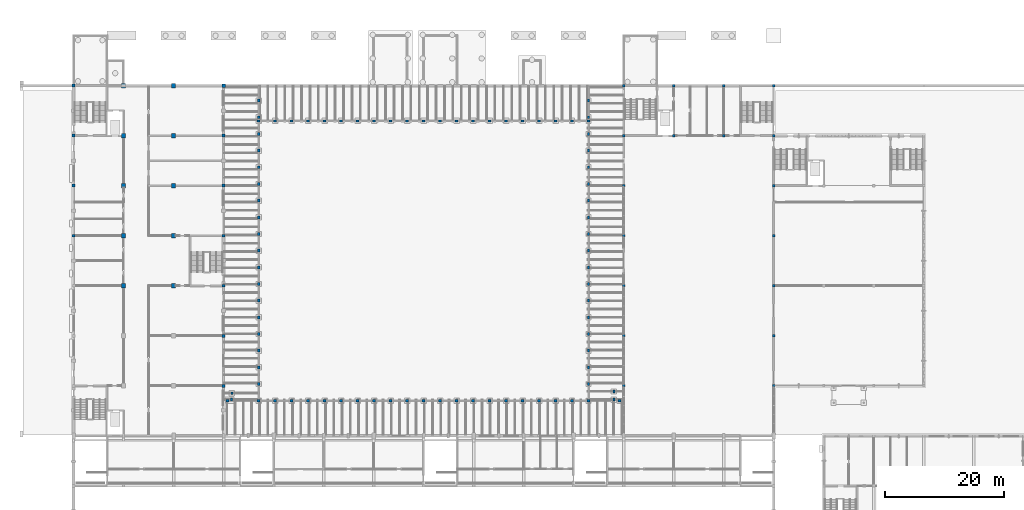
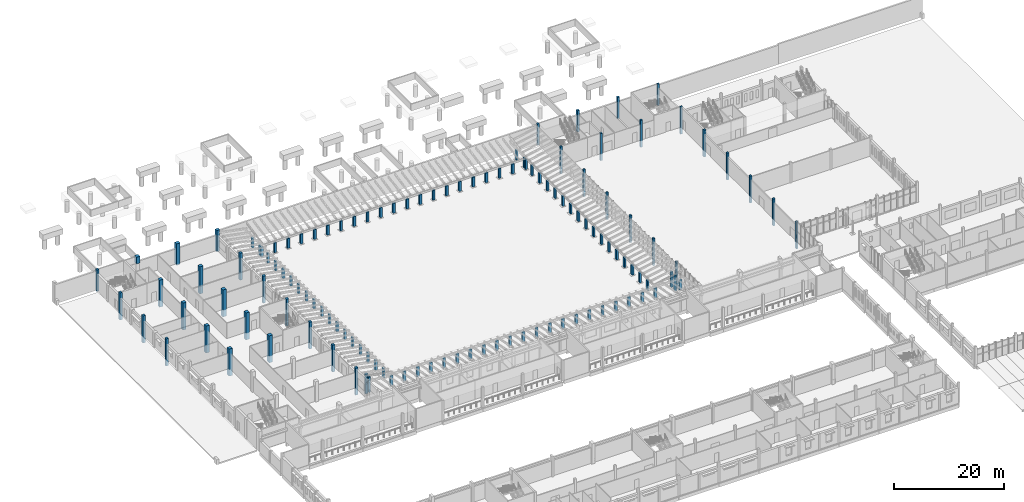
# One storey, part 4 of 60: 123 columns.
"""IFC4 building model written with IfcOpenShell, lengths in metres."""

from ifc_helpers import new_model, si_unit, direction, frame, origin, origin_2d, place, context, subcontext, project, spatial, rectangle, extrude, material, material_profile, profile_set, type_object, element, save


model = new_model("IFC4")

# Units and contexts
model_context = context("Model", 3, precision=1e-05, world=origin(), true_north=direction((0.0, 1.0)))
body_context = subcontext(model_context, "Body", "Model", "MODEL_VIEW")
ifc_project = project(units=[si_unit("LENGTHUNIT", "METRE"), si_unit("AREAUNIT", "SQUARE_METRE"), si_unit("VOLUMEUNIT", "CUBIC_METRE"), si_unit("PLANEANGLEUNIT", "RADIAN"), si_unit("MASSUNIT", "GRAM", prefix="KILO")], contexts=[model_context])

# Site, building, storey
site_placement = place(None, origin())
site = spatial("IfcSite", under=ifc_project, at=site_placement, CompositionType="ELEMENT")
building_placement = place(site_placement, origin())
building = spatial("IfcBuilding", under=site, at=building_placement, Name="Fescue Hill Polytechnic", CompositionType="ELEMENT")
storey_placement = place(building_placement, frame((0.0, 0.0, 4.5)))
storey = spatial("IfcBuildingStorey", under=building, at=storey_placement, Name="L01", CompositionType="ELEMENT", Elevation=4.5)

# Columns
ifc_material_1 = material(Name="Concrete 40 MPa", Category="concrete")
ifc_material_profile_1 = material_profile(ifc_material_1, rectangle(XDim=0.39990234375, YDim=0.39990234375, at=origin_2d()), Name="RC 400x400")
ifc_profile_set_1 = profile_set([ifc_material_profile_1], Name="Concrete 40 MPa")
column_type_1 = type_object("IfcColumnType", Name="Column RC 400x400", PredefinedType="COLUMN", material=ifc_profile_set_1)
for number, where, z_axis, x_axis, name in (
    (1, (117.60009765625, 58.800048828125, -1.5), (0.0, 0.0, 1.0), (1.0, 0.0, 0.0), "COL-L01-V2-001"),
    (2, (117.60009765625, 67.199951171875, -1.5), (0.0, 0.0, 1.0), (1.0, 0.0, 0.0), "COL-L01-V2-002"),
    (3, (117.60009765625, 75.60009765625, -1.5), (0.0, 0.0, 1.0), (1.0, 0.0, 0.0), "COL-L01-V2-003"),
    (4, (117.60009765625, 84.0, -1.5), (0.0, 0.0, 1.0), (1.0, 0.0, 0.0), "COL-L01-V2-004"),
    (5, (117.60009765625, 92.39990234375, -1.5), (0.0, 0.0, 1.0), (1.0, 0.0, 0.0), "COL-L01-V2-005"),
    (6, (117.60009765625, 100.800048828125, -1.5), (0.0, 0.0, 1.0), (1.0, 0.0, 0.0), "COL-L01-V2-006"),
    (7, (92.39990234375, 58.800048828125, -1.5), (0.0, 0.0, 1.0), (1.0, 0.0, 0.0), "COL-L01-V6-001"),
    (8, (92.39990234375, 67.199951171875, -1.5), (0.0, 0.0, 1.0), (1.0, 0.0, 0.0), "COL-L01-V6-002"),
    (9, (92.39990234375, 75.60009765625, -1.5), (0.0, 0.0, 1.0), (1.0, 0.0, 0.0), "COL-L01-V6-003"),
    (10, (92.39990234375, 84.0, -1.5), (0.0, 0.0, 1.0), (1.0, 0.0, 0.0), "COL-L01-V6-004"),
    (11, (92.39990234375, 92.39990234375, -1.5), (0.0, 0.0, 1.0), (1.0, 0.0, 0.0), "COL-L01-V6-005"),
    (12, (92.39990234375, 100.800048828125, -1.5), (0.0, 0.0, 1.0), (1.0, 0.0, 0.0), "COL-L01-V6-006"),
):
    element("IfcColumn", number, at=place(storey_placement, frame(where, z_axis=z_axis, x_axis=x_axis)), inside=storey, type_object=column_type_1, Name=name, PredefinedType="COLUMN", context=body_context, shape_type="SweptSolid", body=[
        extrude(rectangle(XDim=0.39990234375, YDim=0.39990234375, at=origin_2d()), origin(), (0.0, 0.0, 1.0), 6.0),
    ])
column_1_placement = place(storey_placement, frame((92.39990234375, 109.199951171875, -0.25), z_axis=(0.0, 0.0, 1.0), x_axis=(1.0, 0.0, 0.0)))
element("IfcColumn", 13, at=column_1_placement, inside=storey, type_object=column_type_1, Name="COL-L01-V6-007", PredefinedType="COLUMN", context=body_context, shape_type="SweptSolid", body=[
    extrude(rectangle(XDim=0.39990234375, YDim=0.39990234375, at=origin_2d()), origin(), (0.0, 0.0, 1.0), 4.75),
])
for number, where, z_axis, x_axis, name in (
    (14, (100.800048828125, 100.800048828125, -1.5), (0.0, 0.0, 1.0), (1.0, 0.0, 0.0), "COL-L01-V6-008"),
    (15, (109.199951171875, 100.800048828125, -1.5), (0.0, 0.0, 1.0), (1.0, 0.0, 0.0), "COL-L01-V6-010"),
):
    element("IfcColumn", number, at=place(storey_placement, frame(where, z_axis=z_axis, x_axis=x_axis)), inside=storey, type_object=column_type_1, Name=name, PredefinedType="COLUMN", context=body_context, shape_type="SweptSolid", body=[
        extrude(rectangle(XDim=0.39990234375, YDim=0.39990234375, at=origin_2d()), origin(), (0.0, 0.0, 1.0), 6.0),
    ])
column_2_placement = place(storey_placement, frame((117.60009765625, 109.199951171875, -0.25), z_axis=(0.0, 0.0, 1.0), x_axis=(1.0, 0.0, 0.0)))
element("IfcColumn", 16, at=column_2_placement, inside=storey, type_object=column_type_1, Name="COL-L01-V6-012", PredefinedType="COLUMN", context=body_context, shape_type="SweptSolid", body=[
    extrude(rectangle(XDim=0.39990234375, YDim=0.39990234375, at=origin_2d()), origin(), (0.0, 0.0, 1.0), 4.75),
])
ifc_material_profile_2 = material_profile(ifc_material_1, rectangle(XDim=0.449951171875, YDim=0.449951171875, at=origin_2d()), Name="RC 450x450")
ifc_profile_set_2 = profile_set([ifc_material_profile_2], Name="Concrete 40 MPa")
column_type_2 = type_object("IfcColumnType", Name="Column RC 450x450", PredefinedType="COLUMN", material=ifc_profile_set_2)
for number, where, z_axis, x_axis, name in (
    (17, (100.800048828125, 109.199951171875, -0.25), (0.0, 0.0, 1.0), (1.0, 0.0, 0.0), "COL-L01-V6-009"),
    (18, (109.199951171875, 109.199951171875, -0.25), (0.0, 0.0, 1.0), (1.0, 0.0, 0.0), "COL-L01-V6-011"),
):
    element("IfcColumn", number, at=place(storey_placement, frame(where, z_axis=z_axis, x_axis=x_axis)), inside=storey, type_object=column_type_2, Name=name, PredefinedType="COLUMN", context=body_context, shape_type="SweptSolid", body=[
        extrude(rectangle(XDim=0.449951171875, YDim=0.449951171875, at=origin_2d()), origin(), (0.0, 0.0, 1.0), 4.75),
    ])
ifc_material_profile_3 = material_profile(ifc_material_1, rectangle(XDim=0.5, YDim=0.5, at=origin_2d()), Name="RC 500x500")
ifc_profile_set_3 = profile_set([ifc_material_profile_3], Name="Concrete 40 MPa")
column_type_3 = type_object("IfcColumnType", Name="Column RC 500x500", PredefinedType="COLUMN", material=ifc_profile_set_3)
for number, where, z_axis, x_axis, name in (
    (19, (0.0, 84.0, -1.5), (0.0, 0.0, 1.0), (1.0, 0.0, 0.0), "COL-L01-V4-004"),
    (20, (0.0, 92.39990234375, -1.5), (0.0, 0.0, 1.0), (1.0, 0.0, 0.0), "COL-L01-V4-005"),
    (21, (0.0, 100.800048828125, -1.5), (0.0, 0.0, 1.0), (1.0, 0.0, 0.0), "COL-L01-V4-006"),
):
    element("IfcColumn", number, at=place(storey_placement, frame(where, z_axis=z_axis, x_axis=x_axis)), inside=storey, type_object=column_type_3, Name=name, PredefinedType="COLUMN", context=body_context, shape_type="SweptSolid", body=[
        extrude(rectangle(XDim=0.5, YDim=0.5, at=origin_2d()), origin(), (0.0, 0.0, 1.0), 6.0),
    ])
column_3_placement = place(storey_placement, frame((0.0, 109.199951171875, -0.25), z_axis=(0.0, 0.0, 1.0), x_axis=(1.0, 0.0, 0.0)))
element("IfcColumn", 22, at=column_3_placement, inside=storey, type_object=column_type_3, Name="COL-L01-V4-007", PredefinedType="COLUMN", context=body_context, shape_type="SweptSolid", body=[
    extrude(rectangle(XDim=0.5, YDim=0.5, at=origin_2d()), origin(), (0.0, 0.0, 1.0), 4.75),
])
for number, where, z_axis, x_axis, name in (
    (23, (25.199951171875, 58.800048828125, -1.5), (0.0, 0.0, 1.0), (1.0, 0.0, 0.0), "COL-L01-V4-022"),
    (24, (25.199951171875, 67.199951171875, -1.5), (0.0, 0.0, 1.0), (1.0, 0.0, 0.0), "COL-L01-V4-023"),
    (25, (25.199951171875, 75.60009765625, -1.5), (0.0, 0.0, 1.0), (1.0, 0.0, 0.0), "COL-L01-V4-024"),
    (26, (25.199951171875, 84.0, -1.5), (0.0, 0.0, 1.0), (1.0, 0.0, 0.0), "COL-L01-V4-025"),
    (27, (25.199951171875, 92.39990234375, -1.5), (0.0, 0.0, 1.0), (1.0, 0.0, 0.0), "COL-L01-V4-026"),
    (28, (25.199951171875, 100.800048828125, -1.5), (0.0, 0.0, 1.0), (1.0, 0.0, 0.0), "COL-L01-V4-027"),
):
    element("IfcColumn", number, at=place(storey_placement, frame(where, z_axis=z_axis, x_axis=x_axis)), inside=storey, type_object=column_type_3, Name=name, PredefinedType="COLUMN", context=body_context, shape_type="SweptSolid", body=[
        extrude(rectangle(XDim=0.5, YDim=0.5, at=origin_2d()), origin(), (0.0, 0.0, 1.0), 6.0),
    ])
ifc_material_profile_4 = material_profile(ifc_material_1, rectangle(XDim=0.60009765625, YDim=0.60009765625, at=origin_2d()), Name="RC 600x600")
ifc_profile_set_4 = profile_set([ifc_material_profile_4], Name="Concrete 40 MPa")
column_type_4 = type_object("IfcColumnType", Name="Column RC 600x600", PredefinedType="COLUMN", material=ifc_profile_set_4)
column_4_placement = place(storey_placement, frame((25.199951171875, 109.199951171875, -0.25), z_axis=(0.0, 0.0, 1.0), x_axis=(1.0, 0.0, 0.0)))
element("IfcColumn", 29, at=column_4_placement, inside=storey, type_object=column_type_4, Name="COL-L01-V4-028", PredefinedType="COLUMN", context=body_context, shape_type="SweptSolid", body=[
    extrude(rectangle(XDim=0.60009765625, YDim=0.60009765625, at=origin_2d()), origin(), (0.0, 0.0, 1.0), 4.75),
])
ifc_material_profile_5 = material_profile(ifc_material_1, rectangle(XDim=0.699951171875, YDim=0.699951171875, at=origin_2d()), Name="RC 700x700")
ifc_profile_set_5 = profile_set([ifc_material_profile_5], Name="Concrete 40 MPa")
column_type_5 = type_object("IfcColumnType", Name="Column RC 700x700", PredefinedType="COLUMN", material=ifc_profile_set_5)
for number, where, z_axis, x_axis, name in (
    (30, (8.39990234375, 75.60009765625, -1.5), (0.0, 0.0, 1.0), (1.0, 0.0, 0.0), "COL-L01-V4-010"),
    (31, (8.39990234375, 84.0, -1.5), (0.0, 0.0, 1.0), (1.0, 0.0, 0.0), "COL-L01-V4-011"),
    (32, (8.39990234375, 92.39990234375, -1.5), (0.0, 0.0, 1.0), (1.0, 0.0, 0.0), "COL-L01-V4-012"),
    (33, (8.39990234375, 100.800048828125, -1.5), (0.0, 0.0, 1.0), (1.0, 0.0, 0.0), "COL-L01-V4-013"),
):
    element("IfcColumn", number, at=place(storey_placement, frame(where, z_axis=z_axis, x_axis=x_axis)), inside=storey, type_object=column_type_5, Name=name, PredefinedType="COLUMN", context=body_context, shape_type="SweptSolid", body=[
        extrude(rectangle(XDim=0.699951171875, YDim=0.699951171875, at=origin_2d()), origin(), (0.0, 0.0, 1.0), 6.0),
    ])
column_5_placement = place(storey_placement, frame((8.39990234375, 109.199951171875, 3.0), z_axis=(0.0, 0.0, 1.0), x_axis=(1.0, 0.0, 0.0)))
element("IfcColumn", 34, at=column_5_placement, inside=storey, type_object=column_type_5, Name="COL-L01-V4-014", PredefinedType="COLUMN", context=body_context, shape_type="SweptSolid", body=[
    extrude(rectangle(XDim=0.699951171875, YDim=0.699951171875, at=origin_2d()), origin(), (0.0, 0.0, 1.0), 1.5),
])
for number, where, z_axis, x_axis, name in (
    (35, (16.800048828125, 75.60009765625, -1.5), (0.0, 0.0, 1.0), (1.0, 0.0, 0.0), "COL-L01-V4-017"),
    (36, (16.800048828125, 84.0, -1.5), (0.0, 0.0, 1.0), (1.0, 0.0, 0.0), "COL-L01-V4-018"),
    (37, (16.800048828125, 92.39990234375, -1.5), (0.0, 0.0, 1.0), (1.0, 0.0, 0.0), "COL-L01-V4-019"),
    (38, (16.800048828125, 100.800048828125, -1.5), (0.0, 0.0, 1.0), (1.0, 0.0, 0.0), "COL-L01-V4-020"),
):
    element("IfcColumn", number, at=place(storey_placement, frame(where, z_axis=z_axis, x_axis=x_axis)), inside=storey, type_object=column_type_5, Name=name, PredefinedType="COLUMN", context=body_context, shape_type="SweptSolid", body=[
        extrude(rectangle(XDim=0.699951171875, YDim=0.699951171875, at=origin_2d()), origin(), (0.0, 0.0, 1.0), 6.0),
    ])
column_6_placement = place(storey_placement, frame((16.800048828125, 109.199951171875, -0.25), z_axis=(0.0, 0.0, 1.0), x_axis=(1.0, 0.0, 0.0)))
element("IfcColumn", 39, at=column_6_placement, inside=storey, type_object=column_type_5, Name="COL-L01-V4-021", PredefinedType="COLUMN", context=body_context, shape_type="SweptSolid", body=[
    extrude(rectangle(XDim=0.699951171875, YDim=0.699951171875, at=origin_2d()), origin(), (0.0, 0.0, 1.0), 4.75),
])
ifc_material_2 = material(Name="Glulam 24f-EX", Category="wood")
ifc_material_profile_6 = material_profile(ifc_material_2, rectangle(XDim=0.364990234375, YDim=0.493896484375, at=origin_2d()), Name="Glulam post 365x494")
ifc_profile_set_6 = profile_set([ifc_material_profile_6], Name="Glulam 24f-EX")
column_type_6 = type_object("IfcColumnType", Name="Glulam post 365x494", PredefinedType="COLUMN", material=ifc_profile_set_6)
for number, where, z_axis, x_axis, name in (
    (40, (25.85009765625, 56.300048828125, 0.0), (0.0, 0.0, 1.0), (0.0, 1.0, 0.0), "Veranda post 1"),
    (41, (31.10009765625, 56.300048828125, 0.0), (0.0, 0.0, 1.0), (0.0, 1.0, 0.0), "Veranda post 2"),
    (42, (33.8701171875, 56.300048828125, 0.0), (0.0, 0.0, 1.0), (0.0, 1.0, 0.0), "Veranda post 3"),
    (43, (36.639892578125, 56.300048828125, 0.0), (0.0, 0.0, 1.0), (0.0, 1.0, 0.0), "Veranda post 4"),
    (44, (39.409912109375, 56.300048828125, 0.0), (0.0, 0.0, 1.0), (0.0, 1.0, 0.0), "Veranda post 5"),
    (45, (42.179931640625, 56.300048828125, 0.0), (0.0, 0.0, 1.0), (0.0, 1.0, 0.0), "Veranda post 6"),
    (46, (44.949951171875, 56.300048828125, 0.0), (0.0, 0.0, 1.0), (0.0, 1.0, 0.0), "Veranda post 7"),
    (47, (47.719970703125, 56.300048828125, 0.0), (0.0, 0.0, 1.0), (0.0, 1.0, 0.0), "Veranda post 8"),
    (48, (50.489990234375, 56.300048828125, 0.0), (0.0, 0.0, 1.0), (0.0, 1.0, 0.0), "Veranda post 9"),
    (49, (53.260009765625, 56.300048828125, 0.0), (0.0, 0.0, 1.0), (0.0, 1.0, 0.0), "Veranda post 10"),
    (50, (56.030029296875, 56.300048828125, 0.0), (0.0, 0.0, 1.0), (0.0, 1.0, 0.0), "Veranda post 11"),
    (51, (58.800048828125, 56.300048828125, 0.0), (0.0, 0.0, 1.0), (0.0, 1.0, 0.0), "Veranda post 12"),
    (52, (61.570068359375, 56.300048828125, 0.0), (0.0, 0.0, 1.0), (0.0, 1.0, 0.0), "Veranda post 13"),
    (53, (64.340087890625, 56.300048828125, 0.0), (0.0, 0.0, 1.0), (0.0, 1.0, 0.0), "Veranda post 14"),
    (54, (67.110107421875, 56.300048828125, 0.0), (0.0, 0.0, 1.0), (0.0, 1.0, 0.0), "Veranda post 15"),
    (55, (69.8798828125, 56.300048828125, 0.0), (0.0, 0.0, 1.0), (0.0, 1.0, 0.0), "Veranda post 16"),
    (56, (72.64990234375, 56.300048828125, 0.0), (0.0, 0.0, 1.0), (0.0, 1.0, 0.0), "Veranda post 17"),
    (57, (75.419921875, 56.300048828125, 0.0), (0.0, 0.0, 1.0), (0.0, 1.0, 0.0), "Veranda post 18"),
    (58, (78.18994140625, 56.300048828125, 0.0), (0.0, 0.0, 1.0), (0.0, 1.0, 0.0), "Veranda post 19"),
    (59, (80.9599609375, 56.300048828125, 0.0), (0.0, 0.0, 1.0), (0.0, 1.0, 0.0), "Veranda post 20"),
    (60, (83.72998046875, 56.300048828125, 0.0), (0.0, 0.0, 1.0), (0.0, 1.0, 0.0), "Veranda post 21"),
    (61, (86.5, 56.300048828125, 0.0), (0.0, 0.0, 1.0), (0.0, 1.0, 0.0), "Veranda post 22"),
    (62, (91.699951171875, 56.300048828125, 0.0), (0.0, 0.0, 1.0), (0.0, 1.0, 0.0), "Veranda post 23"),
    (63, (31.10009765625, 59.10009765625, 0.0), (0.0, 0.0, 1.0), (1.0, 0.0, 0.0), "Veranda post 24"),
    (64, (31.10009765625, 61.89990234375, 0.0), (0.0, 0.0, 1.0), (1.0, 0.0, 0.0), "Veranda post 25"),
    (65, (31.10009765625, 64.699951171875, 0.0), (0.0, 0.0, 1.0), (1.0, 0.0, 0.0), "Veranda post 26"),
    (66, (31.10009765625, 67.5, 0.0), (0.0, 0.0, 1.0), (1.0, 0.0, 0.0), "Veranda post 27"),
    (67, (31.10009765625, 70.300048828125, 0.0), (0.0, 0.0, 1.0), (1.0, 0.0, 0.0), "Veranda post 28"),
    (68, (31.10009765625, 73.10009765625, 0.0), (0.0, 0.0, 1.0), (1.0, 0.0, 0.0), "Veranda post 29"),
    (69, (31.10009765625, 75.89990234375, 0.0), (0.0, 0.0, 1.0), (1.0, 0.0, 0.0), "Veranda post 30"),
    (70, (31.10009765625, 78.699951171875, 0.0), (0.0, 0.0, 1.0), (1.0, 0.0, 0.0), "Veranda post 31"),
    (71, (31.10009765625, 81.5, 0.0), (0.0, 0.0, 1.0), (1.0, 0.0, 0.0), "Veranda post 32"),
    (72, (31.10009765625, 84.300048828125, 0.0), (0.0, 0.0, 1.0), (1.0, 0.0, 0.0), "Veranda post 33"),
    (73, (31.10009765625, 87.10009765625, 0.0), (0.0, 0.0, 1.0), (1.0, 0.0, 0.0), "Veranda post 34"),
    (74, (31.10009765625, 89.89990234375, 0.0), (0.0, 0.0, 1.0), (1.0, 0.0, 0.0), "Veranda post 35"),
    (75, (31.10009765625, 92.699951171875, 0.0), (0.0, 0.0, 1.0), (1.0, 0.0, 0.0), "Veranda post 36"),
    (76, (31.10009765625, 95.5, 0.0), (0.0, 0.0, 1.0), (1.0, 0.0, 0.0), "Veranda post 37"),
    (77, (31.10009765625, 98.300048828125, 0.0), (0.0, 0.0, 1.0), (1.0, 0.0, 0.0), "Veranda post 38"),
    (78, (31.10009765625, 101.10009765625, 0.0), (0.0, 0.0, 1.0), (1.0, 0.0, 0.0), "Veranda post 39"),
    (79, (31.10009765625, 103.89990234375, 0.0), (0.0, 0.0, 1.0), (1.0, 0.0, 0.0), "Veranda post 40"),
    (80, (31.10009765625, 106.699951171875, 0.0), (0.0, 0.0, 1.0), (1.0, 0.0, 0.0), "Veranda post 41"),
):
    element("IfcColumn", number, at=place(storey_placement, frame(where, z_axis=z_axis, x_axis=x_axis)), inside=storey, type_object=column_type_6, Name=name, PredefinedType="COLUMN", context=body_context, shape_type="SweptSolid", body=[
        extrude(rectangle(XDim=0.364990234375, YDim=0.493896484375, at=origin_2d()), origin(), (0.0, 0.0, 1.0), 2.176025390625),
    ])
for number, where, z_axis, x_axis, name in (
    (81, (26.52490234375, 56.465087890625, 0.0), (0.0, 0.0, 1.0), (1.0, 0.0, 0.0), "Veranda post 42"),
    (82, (26.60009765625, 57.550048828125, 0.0), (0.0, 0.0, 1.0), (1.0, 0.0, 0.0), "Veranda post 43"),
):
    element("IfcColumn", number, at=place(storey_placement, frame(where, z_axis=z_axis, x_axis=x_axis)), inside=storey, type_object=column_type_6, Name=name, PredefinedType="COLUMN", context=body_context, shape_type="SweptSolid", body=[
        extrude(rectangle(XDim=0.364990234375, YDim=0.493896484375, at=origin_2d()), origin(), (0.0, 0.0, 1.0), 3.45166015625),
    ])
for number, where, z_axis, x_axis, name in (
    (83, (86.5, 59.10009765625, 0.0), (0.0, 0.0, 1.0), (1.0, 0.0, 0.0), "Veranda post 44"),
    (84, (86.5, 61.89990234375, 0.0), (0.0, 0.0, 1.0), (1.0, 0.0, 0.0), "Veranda post 45"),
    (85, (86.5, 64.699951171875, 0.0), (0.0, 0.0, 1.0), (1.0, 0.0, 0.0), "Veranda post 46"),
    (86, (86.5, 67.5, 0.0), (0.0, 0.0, 1.0), (1.0, 0.0, 0.0), "Veranda post 47"),
    (87, (86.5, 70.300048828125, 0.0), (0.0, 0.0, 1.0), (1.0, 0.0, 0.0), "Veranda post 48"),
    (88, (86.5, 73.10009765625, 0.0), (0.0, 0.0, 1.0), (1.0, 0.0, 0.0), "Veranda post 49"),
    (89, (86.5, 75.89990234375, 0.0), (0.0, 0.0, 1.0), (1.0, 0.0, 0.0), "Veranda post 50"),
    (90, (86.5, 78.699951171875, 0.0), (0.0, 0.0, 1.0), (1.0, 0.0, 0.0), "Veranda post 51"),
    (91, (86.5, 81.5, 0.0), (0.0, 0.0, 1.0), (1.0, 0.0, 0.0), "Veranda post 52"),
    (92, (86.5, 84.300048828125, 0.0), (0.0, 0.0, 1.0), (1.0, 0.0, 0.0), "Veranda post 53"),
    (93, (86.5, 87.10009765625, 0.0), (0.0, 0.0, 1.0), (1.0, 0.0, 0.0), "Veranda post 54"),
    (94, (86.5, 89.89990234375, 0.0), (0.0, 0.0, 1.0), (1.0, 0.0, 0.0), "Veranda post 55"),
    (95, (86.5, 92.699951171875, 0.0), (0.0, 0.0, 1.0), (1.0, 0.0, 0.0), "Veranda post 56"),
    (96, (86.5, 95.5, 0.0), (0.0, 0.0, 1.0), (1.0, 0.0, 0.0), "Veranda post 57"),
    (97, (86.5, 98.300048828125, 0.0), (0.0, 0.0, 1.0), (1.0, 0.0, 0.0), "Veranda post 58"),
    (98, (86.5, 101.10009765625, 0.0), (0.0, 0.0, 1.0), (1.0, 0.0, 0.0), "Veranda post 59"),
    (99, (86.5, 103.89990234375, 0.0), (0.0, 0.0, 1.0), (1.0, 0.0, 0.0), "Veranda post 60"),
    (100, (86.5, 106.699951171875, 0.0), (0.0, 0.0, 1.0), (1.0, 0.0, 0.0), "Veranda post 61"),
):
    element("IfcColumn", number, at=place(storey_placement, frame(where, z_axis=z_axis, x_axis=x_axis)), inside=storey, type_object=column_type_6, Name=name, PredefinedType="COLUMN", context=body_context, shape_type="SweptSolid", body=[
        extrude(rectangle(XDim=0.364990234375, YDim=0.493896484375, at=origin_2d()), origin(), (0.0, 0.0, 1.0), 2.176025390625),
    ])
for number, where, z_axis, x_axis, name in (
    (101, (90.75, 56.465087890625, 0.0), (0.0, 0.0, 1.0), (1.0, 0.0, 0.0), "Veranda post 62"),
    (102, (90.75, 57.846435546875, 0.0), (0.0, 0.0, 1.0), (1.0, 0.0, 0.0), "Veranda post 63"),
):
    element("IfcColumn", number, at=place(storey_placement, frame(where, z_axis=z_axis, x_axis=x_axis)), inside=storey, type_object=column_type_6, Name=name, PredefinedType="COLUMN", context=body_context, shape_type="SweptSolid", body=[
        extrude(rectangle(XDim=0.364990234375, YDim=0.493896484375, at=origin_2d()), origin(), (0.0, 0.0, 1.0), 3.398681640625),
    ])
for number, where, z_axis, x_axis, name in (
    (103, (31.10009765625, 103.300048828125, 0.0), (0.0, 0.0, 1.0), (0.0, 1.0, 0.0), "Veranda post 64"),
    (104, (33.8701171875, 103.300048828125, 0.0), (0.0, 0.0, 1.0), (0.0, 1.0, 0.0), "Veranda post 65"),
    (105, (36.639892578125, 103.300048828125, 0.0), (0.0, 0.0, 1.0), (0.0, 1.0, 0.0), "Veranda post 66"),
    (106, (39.409912109375, 103.300048828125, 0.0), (0.0, 0.0, 1.0), (0.0, 1.0, 0.0), "Veranda post 67"),
    (107, (42.179931640625, 103.300048828125, 0.0), (0.0, 0.0, 1.0), (0.0, 1.0, 0.0), "Veranda post 68"),
    (108, (44.949951171875, 103.300048828125, 0.0), (0.0, 0.0, 1.0), (0.0, 1.0, 0.0), "Veranda post 69"),
    (109, (47.719970703125, 103.300048828125, 0.0), (0.0, 0.0, 1.0), (0.0, 1.0, 0.0), "Veranda post 70"),
    (110, (50.489990234375, 103.300048828125, 0.0), (0.0, 0.0, 1.0), (0.0, 1.0, 0.0), "Veranda post 71"),
    (111, (53.260009765625, 103.300048828125, 0.0), (0.0, 0.0, 1.0), (0.0, 1.0, 0.0), "Veranda post 72"),
    (112, (56.030029296875, 103.300048828125, 0.0), (0.0, 0.0, 1.0), (0.0, 1.0, 0.0), "Veranda post 73"),
    (113, (58.800048828125, 103.300048828125, 0.0), (0.0, 0.0, 1.0), (0.0, 1.0, 0.0), "Veranda post 74"),
    (114, (61.570068359375, 103.300048828125, 0.0), (0.0, 0.0, 1.0), (0.0, 1.0, 0.0), "Veranda post 75"),
    (115, (64.340087890625, 103.300048828125, 0.0), (0.0, 0.0, 1.0), (0.0, 1.0, 0.0), "Veranda post 76"),
    (116, (67.110107421875, 103.300048828125, 0.0), (0.0, 0.0, 1.0), (0.0, 1.0, 0.0), "Veranda post 77"),
    (117, (69.8798828125, 103.300048828125, 0.0), (0.0, 0.0, 1.0), (0.0, 1.0, 0.0), "Veranda post 78"),
    (118, (72.64990234375, 103.300048828125, 0.0), (0.0, 0.0, 1.0), (0.0, 1.0, 0.0), "Veranda post 79"),
    (119, (75.419921875, 103.300048828125, 0.0), (0.0, 0.0, 1.0), (0.0, 1.0, 0.0), "Veranda post 80"),
    (120, (78.18994140625, 103.300048828125, 0.0), (0.0, 0.0, 1.0), (0.0, 1.0, 0.0), "Veranda post 81"),
    (121, (80.9599609375, 103.300048828125, 0.0), (0.0, 0.0, 1.0), (0.0, 1.0, 0.0), "Veranda post 82"),
    (122, (83.72998046875, 103.300048828125, 0.0), (0.0, 0.0, 1.0), (0.0, 1.0, 0.0), "Veranda post 83"),
    (123, (86.5, 103.300048828125, 0.0), (0.0, 0.0, 1.0), (0.0, 1.0, 0.0), "Veranda post 84"),
):
    element("IfcColumn", number, at=place(storey_placement, frame(where, z_axis=z_axis, x_axis=x_axis)), inside=storey, type_object=column_type_6, Name=name, PredefinedType="COLUMN", context=body_context, shape_type="SweptSolid", body=[
        extrude(rectangle(XDim=0.364990234375, YDim=0.493896484375, at=origin_2d()), origin(), (0.0, 0.0, 1.0), 2.176025390625),
    ])

save(model, "model.ifc")
